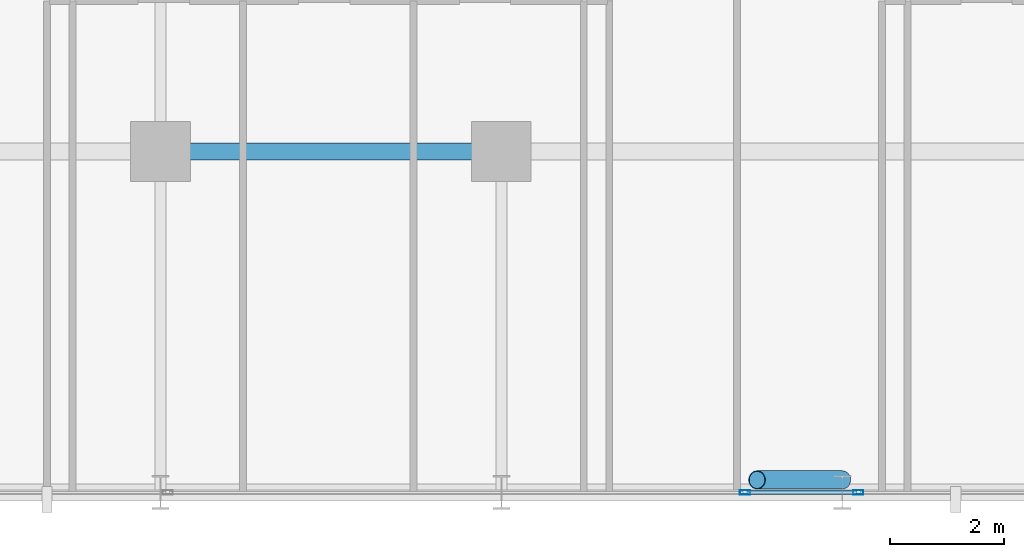
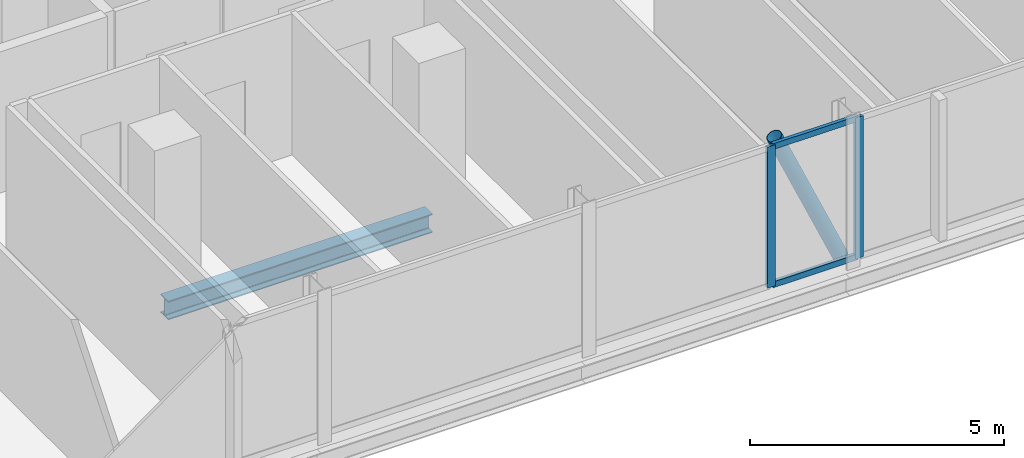
# One storey, part 8 of 30: 5 members, 1 beam, 2 elements without a shape of their own.
"""IFC4 building model written with IfcOpenShell, lengths in metres."""

from ifc_helpers import new_model, si_unit, direction, frame, origin, origin_2d, place, context, subcontext, project, spatial, hollow_rectangle, hollow_circle, i_section, extrude, material, layer, layer_set, material_profile, profile_set, type_object, element, aggregate, save


model = new_model("IFC4")

# Units and contexts
model_context = context("Model", 3, precision=1e-05, world=origin(), true_north=direction((0.0, 1.0)))
body_context = subcontext(model_context, "Body", "Model", "MODEL_VIEW")
ifc_project = project(units=[si_unit("LENGTHUNIT", "METRE"), si_unit("AREAUNIT", "SQUARE_METRE"), si_unit("VOLUMEUNIT", "CUBIC_METRE"), si_unit("PLANEANGLEUNIT", "RADIAN"), si_unit("MASSUNIT", "GRAM", prefix="KILO")], contexts=[model_context])

# Site, building, storey
site_placement = place(None, origin())
site = spatial("IfcSite", under=ifc_project, at=site_placement, CompositionType="ELEMENT")
building_placement = place(site_placement, origin())
building = spatial("IfcBuilding", under=site, at=building_placement, Name="Keshet Zoharim Tower", CompositionType="ELEMENT")
storey_placement = place(building_placement, frame((0.0, 0.0, 109.39990234375)))
storey = spatial("IfcBuildingStorey", under=building, at=storey_placement, Name="L26", CompositionType="ELEMENT", Elevation=109.39990234375)

# Beam
ifc_material_1 = material(Name="Steel S355", Category="steel")
ifc_material_profile_1 = material_profile(ifc_material_1, i_section(OverallWidth=0.300048828125, OverallDepth=0.449951171875, WebThickness=0.013916015625, FlangeThickness=0.02587890625, FilletRadius=0.027099609375, at=origin_2d()), Name="HEB450")
ifc_profile_set_1 = profile_set([ifc_material_profile_1], Name="Steel S355")
beam_type = type_object("IfcBeamType", Name="BM-WEB-HB450", PredefinedType="BEAM", material=ifc_profile_set_1)
beam_placement = place(storey_placement, frame((33.0, 6.699951171875, -0.539794921875), z_axis=(1.0, 0.0, 0.0), x_axis=(0.0, 1.0, 0.0)))
element("IfcBeam", 1, at=beam_placement, inside=storey, type_object=beam_type, Name="L26 Primary Girder X-007", PredefinedType="BEAM", context=body_context, shape_type="SweptSolid", body=[
    extrude(i_section(OverallWidth=0.300048828125, OverallDepth=0.449951171875, WebThickness=0.013916015625, FlangeThickness=0.02587890625, FilletRadius=0.027099609375, at=origin_2d()), origin(), (0.0, 0.0, 1.0), 6.0),
])

# Curtain wall, member
ifc_material_2 = material(Name="Aluminium 6063-T6", Category="aluminium")
ifc_layer = layer(ifc_material_2, 0.159912109375)
ifc_layer_set = layer_set([ifc_layer], Name="Aluminium 6063-T6")
curtain_wall_type = type_object("IfcCurtainWallType", Name="CW-SYS-03", PredefinedType="NOTDEFINED", material=ifc_layer_set)
curtain_wall_1_placement = place(storey_placement, origin())
curtain_wall_1 = element("IfcCurtainWall", 2, at=curtain_wall_1_placement, inside=storey, type_object=curtain_wall_type, Name="L26 Unitised Curtain Wall 03", PredefinedType="NOTDEFINED")
ifc_material_profile_2 = material_profile(ifc_material_2, hollow_rectangle(XDim=0.080078125, YDim=0.179931640625, WallThickness=0.00439453125, at=origin_2d()), Name="MUL-80x180")
ifc_profile_set_2 = profile_set([ifc_material_profile_2], Name="Aluminium 6063-T6")
member_type_1 = type_object("IfcMemberType", Name="CWM-M18", PredefinedType="MULLION", material=ifc_profile_set_2)
member_1_placement = place(storey_placement, frame((45.283203125, 0.699951171875, 0.0), z_axis=(0.0, 0.0, 1.0), x_axis=(0.0, -1.0, 0.0)))
member_1 = element("IfcMember", 3, at=member_1_placement, type_object=member_type_1, Name="CW-03 mullion 2", PredefinedType="MULLION", context=body_context, shape_type="SweptSolid", body=[
    extrude(hollow_rectangle(XDim=0.080078125, YDim=0.179931640625, WallThickness=0.00439453125, at=origin_2d()), origin(), (0.0, 0.0, 1.0), 3.385009765625),
])
aggregate(curtain_wall_1, [member_1])

# Curtain wall, members
curtain_wall_2_placement = place(storey_placement, origin())
curtain_wall_2 = element("IfcCurtainWall", 4, at=curtain_wall_2_placement, inside=storey, type_object=curtain_wall_type, Name="L26 Unitised Curtain Wall 03 Part 2", PredefinedType="NOTDEFINED")
member_2_placement = place(storey_placement, frame((43.286865234375, 0.699951171875, 0.0), z_axis=(0.0, 0.0, 1.0), x_axis=(0.0, -1.0, 0.0)))
member_2 = element("IfcMember", 5, at=member_2_placement, type_object=member_type_1, Name="CW-03 mullion 2", PredefinedType="MULLION", context=body_context, shape_type="SweptSolid", body=[
    extrude(hollow_rectangle(XDim=0.080078125, YDim=0.179931640625, WallThickness=0.00439453125, at=origin_2d()), origin(), (0.0, 0.0, 1.0), 3.385009765625),
])
ifc_material_profile_3 = material_profile(ifc_material_2, hollow_rectangle(XDim=0.080078125, YDim=0.139892578125, WallThickness=0.00390625, at=origin_2d()), Name="TRN-80x140")
ifc_profile_set_3 = profile_set([ifc_material_profile_3], Name="Aluminium 6063-T6")
member_type_2 = type_object("IfcMemberType", Name="CWT-T14", PredefinedType="USERDEFINED", material=ifc_profile_set_3)
member_3_placement = place(storey_placement, frame((45.248046875, 0.699951171875, 0.03515625), z_axis=(-1.0, 0.0, 0.0), x_axis=(0.0, -1.0, 0.0)))
member_3 = element("IfcMember", 6, at=member_3_placement, type_object=member_type_2, Name="CW-03 transom 1.1", ObjectType="TRANSOM", PredefinedType="USERDEFINED", context=body_context, shape_type="SweptSolid", body=[
    extrude(hollow_rectangle(XDim=0.080078125, YDim=0.139892578125, WallThickness=0.00390625, at=origin_2d()), origin(), (0.0, 0.0, 1.0), 1.926025390625),
])
member_4_placement = place(storey_placement, frame((45.248046875, 0.699951171875, 3.35009765625), z_axis=(-1.0, 0.0, 0.0), x_axis=(0.0, -1.0, 0.0)))
member_4 = element("IfcMember", 7, at=member_4_placement, type_object=member_type_2, Name="CW-03 transom 1.2", ObjectType="TRANSOM", PredefinedType="USERDEFINED", context=body_context, shape_type="SweptSolid", body=[
    extrude(hollow_rectangle(XDim=0.080078125, YDim=0.139892578125, WallThickness=0.00390625, at=origin_2d()), origin(), (0.0, 0.0, 1.0), 1.926025390625),
])
aggregate(curtain_wall_2, [member_2, member_3, member_4])

# Member
ifc_material_profile_4 = material_profile(ifc_material_1, hollow_circle(Radius=0.161865234375, WallThickness=0.012451171875, at=origin_2d()), Name="CHS323x12.5")
ifc_profile_set_4 = profile_set([ifc_material_profile_4], Name="Steel S355")
member_type_3 = type_object("IfcMemberType", Name="MB-BR-C323", PredefinedType="BRACE", material=ifc_profile_set_4)
member_5_placement = place(storey_placement, frame((45.0, 0.919921875, 0.0), z_axis=(-0.405134846829, 0.0, 0.91425694194), x_axis=(0.0, -1.0, 0.0)))
element("IfcMember", 8, at=member_5_placement, inside=storey, type_object=member_type_3, Name="L26 Perimeter Tube Brace 04", PredefinedType="BRACE", context=body_context, shape_type="SweptSolid", body=[
    extrude(hollow_circle(Radius=0.161865234375, WallThickness=0.012451171875, at=origin_2d()), origin(), (0.0, 0.0, 1.0), 3.702392578125),
])

save(model, "model.ifc")
